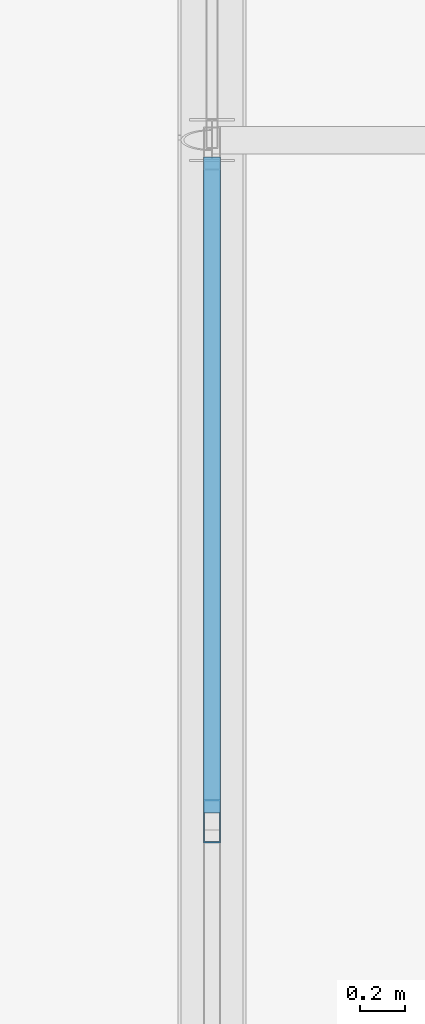
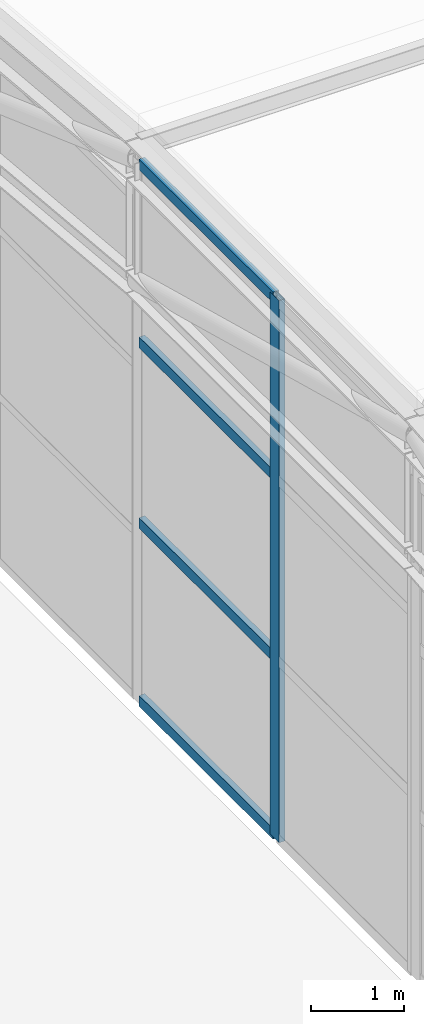
# One storey, part 26 of 204: 5 members, 1 element without a shape of its own.
"""IFC4 building model written with IfcOpenShell, lengths in metres."""

from ifc_helpers import new_model, si_unit, direction, frame, origin, origin_2d, place, context, subcontext, project, spatial, hollow_rectangle, extrude, material, layer, layer_set, material_profile, profile_set, type_object, element, aggregate, save


model = new_model("IFC4")

# Units and contexts
model_context = context("Model", 3, precision=1e-05, world=origin(), true_north=direction((0.0, 1.0)))
body_context = subcontext(model_context, "Body", "Model", "MODEL_VIEW")
ifc_project = project(units=[si_unit("LENGTHUNIT", "METRE"), si_unit("AREAUNIT", "SQUARE_METRE"), si_unit("VOLUMEUNIT", "CUBIC_METRE"), si_unit("PLANEANGLEUNIT", "RADIAN"), si_unit("MASSUNIT", "GRAM", prefix="KILO")], contexts=[model_context])

# Site, building, storey
site_placement = place(None, origin())
site = spatial("IfcSite", under=ifc_project, at=site_placement, CompositionType="ELEMENT")
building_placement = place(site_placement, origin())
building = spatial("IfcBuilding", under=site, at=building_placement, Name="Zilviju Railside Exhibition Hall", CompositionType="ELEMENT")
storey_placement = place(building_placement, frame((0.0, 0.0, 21.0)))
storey = spatial("IfcBuildingStorey", under=building, at=storey_placement, Name="RF", CompositionType="ELEMENT", Elevation=21.0)

# Curtain wall, members
ifc_material_1 = material(Name="Thermally broken aluminium-steel triple-glazed curtain wall", Category="steel")
ifc_layer = layer(ifc_material_1, 0.179931640625)
ifc_layer_set = layer_set([ifc_layer], Name="Thermally broken aluminium-steel triple-glazed curtain wall")
curtain_wall_type = type_object("IfcCurtainWallType", Name="CW-BAY-13", PredefinedType="USERDEFINED", material=ifc_layer_set)
curtain_wall_placement = place(storey_placement, origin())
curtain_wall = element("IfcCurtainWall", 1, at=curtain_wall_placement, inside=storey, type_object=curtain_wall_type, Name="South Hall Arch Tympanum Glazing West P5", ObjectType="GLAZED CURTAIN WALL", PredefinedType="USERDEFINED")
ifc_material_2 = material(Name="Thermally broken anodized aluminium mullion", Category="aluminium")
ifc_material_profile_1 = material_profile(ifc_material_2, hollow_rectangle(XDim=0.074951171875, YDim=0.18994140625, WallThickness=0.0048828125, at=origin_2d()), Name="MULLION 190x75x5")
ifc_profile_set_1 = profile_set([ifc_material_profile_1], Name="Thermally broken anodized aluminium mullion")
member_type_1 = type_object("IfcMemberType", Name="CWM-75x190", PredefinedType="MULLION", material=ifc_profile_set_1)
member_1_placement = place(storey_placement, frame((78.0, 27.0, -7.800048828125), z_axis=(0.0, 0.0, 1.0), x_axis=(-1.0, 0.0, 0.0)))
member_1 = element("IfcMember", 2, at=member_1_placement, type_object=member_type_1, Name="CW-13 mullion 2", PredefinedType="MULLION", context=body_context, shape_type="SweptSolid", body=[
    extrude(hollow_rectangle(XDim=0.074951171875, YDim=0.18994140625, WallThickness=0.0048828125, at=origin_2d()), origin(), (0.0, 0.0, 1.0), 7.131103515625),
])
ifc_material_3 = material(Name="Thermally broken anodized aluminium transom", Category="aluminium")
ifc_material_profile_2 = material_profile(ifc_material_3, hollow_rectangle(XDim=0.074951171875, YDim=0.139892578125, WallThickness=0.0048828125, at=origin_2d()), Name="TRANSOM 140x75x5")
ifc_profile_set_2 = profile_set([ifc_material_profile_2], Name="Thermally broken anodized aluminium transom")
member_type_2 = type_object("IfcMemberType", Name="CWT-75x140", PredefinedType="USERDEFINED", material=ifc_profile_set_2)
member_2_placement = place(storey_placement, frame((78.0, 27.03759765625, -7.762451171875), z_axis=(0.0, 1.0, 0.0), x_axis=(-1.0, 0.0, 0.0)))
member_2 = element("IfcMember", 3, at=member_2_placement, type_object=member_type_2, Name="CW-13 transom 2.1", ObjectType="TRANSOM", PredefinedType="USERDEFINED", context=body_context, shape_type="SweptSolid", body=[
    extrude(hollow_rectangle(XDim=0.074951171875, YDim=0.139892578125, WallThickness=0.0048828125, at=origin_2d()), origin(), (0.0, 0.0, 1.0), 2.887451171875),
])
member_3_placement = place(storey_placement, frame((78.0, 27.03759765625, -5.423095703125), z_axis=(0.0, 1.0, 0.0), x_axis=(-1.0, 0.0, 0.0)))
member_3 = element("IfcMember", 4, at=member_3_placement, type_object=member_type_2, Name="CW-13 transom 2.2", ObjectType="TRANSOM", PredefinedType="USERDEFINED", context=body_context, shape_type="SweptSolid", body=[
    extrude(hollow_rectangle(XDim=0.074951171875, YDim=0.139892578125, WallThickness=0.0048828125, at=origin_2d()), origin(), (0.0, 0.0, 1.0), 2.887451171875),
])
member_4_placement = place(storey_placement, frame((78.0, 27.03759765625, -3.0458984375), z_axis=(0.0, 1.0, 0.0), x_axis=(-1.0, 0.0, 0.0)))
member_4 = element("IfcMember", 5, at=member_4_placement, type_object=member_type_2, Name="CW-13 transom 2.3", ObjectType="TRANSOM", PredefinedType="USERDEFINED", context=body_context, shape_type="SweptSolid", body=[
    extrude(hollow_rectangle(XDim=0.074951171875, YDim=0.139892578125, WallThickness=0.0048828125, at=origin_2d()), origin(), (0.0, 0.0, 1.0), 2.887451171875),
])
member_5_placement = place(storey_placement, frame((78.0, 27.03759765625, -0.70654296875), z_axis=(0.0, 1.0, 0.0), x_axis=(-1.0, 0.0, 0.0)))
member_5 = element("IfcMember", 6, at=member_5_placement, type_object=member_type_2, Name="CW-13 transom 2.4", ObjectType="TRANSOM", PredefinedType="USERDEFINED", context=body_context, shape_type="SweptSolid", body=[
    extrude(hollow_rectangle(XDim=0.074951171875, YDim=0.139892578125, WallThickness=0.0048828125, at=origin_2d()), origin(), (0.0, 0.0, 1.0), 2.887451171875),
])
aggregate(curtain_wall, [member_1, member_2, member_3, member_4, member_5])

save(model, "model.ifc")
